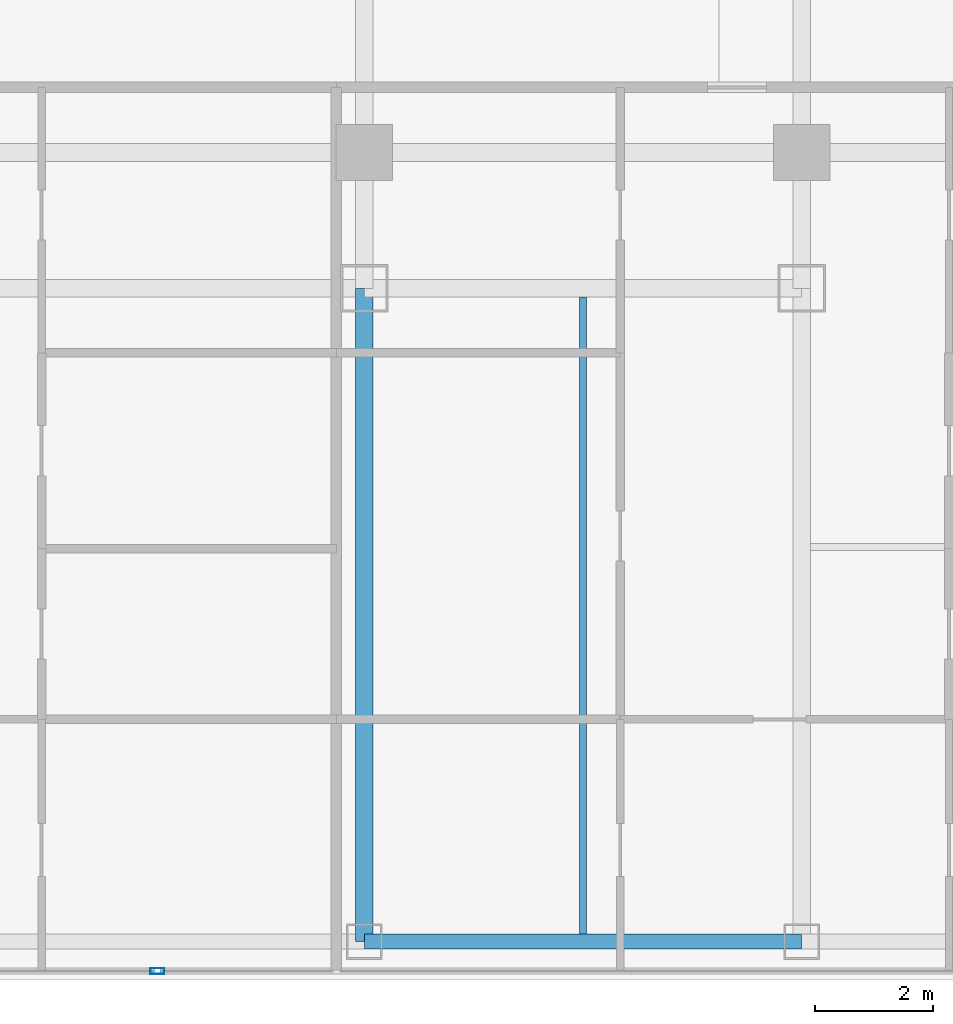
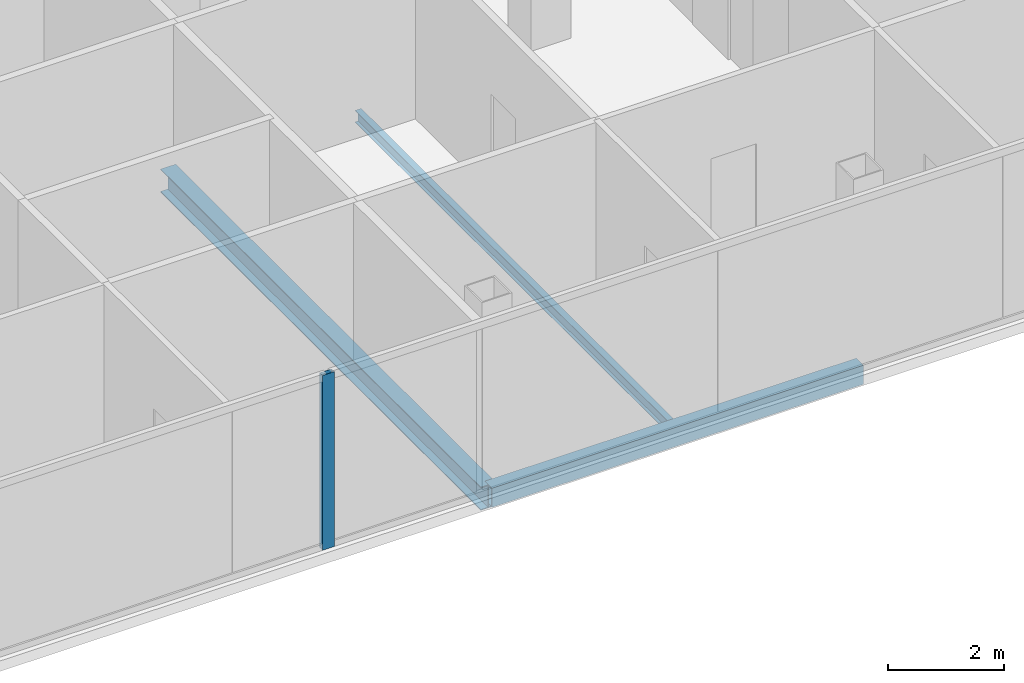
# One storey, part 4 of 27: 3 beams, 1 member, 1 element without a shape of its own.
"""IFC4 building model written with IfcOpenShell, lengths in metres."""

import ifcopenshell
import ifcopenshell.guid

model = None  # the IFC model being written
_history = None  # IfcOwnerHistory: only IFC2X3 demands one
_inside = {}  # id of a spatial element -> (the spatial element, [elements in it])
_under = {}  # id of a project, library or spatial element -> (it, [spatial elements below it])
_declared = {}  # id of a project -> (the project, [libraries it declares])
_typed = {}  # id of a type object -> (the type object, [elements of that type])
_made_of = {}  # id of a material, layer set ... -> (it, [elements and type objects made of it])


def new_model(schema):
    """Start an empty IFC model of exactly this schema.

    Asked for "IFC4X3", IfcOpenShell would pick the latest addendum, in which some entities
    have other attributes; the version numbers below select the first issue.
    IFC2X3 requires an IfcOwnerHistory on every rooted entity: one is made here for all.
    """
    global model, _history
    if schema == "IFC4X3":
        model = ifcopenshell.file(schema_version=(4, 3, 0, 0))
    else:
        model = ifcopenshell.file(schema=schema)
    _inside.clear()
    _under.clear()
    _declared.clear()
    _typed.clear()
    _made_of.clear()
    _history = None
    if model.schema == "IFC2X3":
        org = make("IfcOrganization", Name="unknown")
        user = make(
            "IfcPersonAndOrganization",
            ThePerson=make("IfcPerson", FamilyName="unknown"),
            TheOrganization=org,
        )
        app = make(
            "IfcApplication",
            ApplicationDeveloper=org,
            Version="unknown",
            ApplicationFullName="unknown",
            ApplicationIdentifier="unknown",
        )
        _history = make(
            "IfcOwnerHistory",
            OwningUser=user,
            OwningApplication=app,
            ChangeAction="ADDED",
            CreationDate=0,
        )
    return model


def make(cls, **values):
    """One entity of the class cls with the attributes given. An attribute that is None is left unset."""
    return model.create_entity(
        cls, **{name: value for name, value in values.items() if value is not None}
    )


def rooted(cls, **values):
    """An entity with a GlobalId (a new one), such as an element, a storey or a relation."""
    return make(cls, GlobalId=ifcopenshell.guid.new(), OwnerHistory=_history, **values)


def si_unit(unit_type, name, prefix=None):
    """IfcSIUnit, for example si_unit("LENGTHUNIT", "METRE", prefix="MILLI")."""
    return make("IfcSIUnit", UnitType=unit_type, Prefix=prefix, Name=name)


def assignment(units):
    """IfcUnitAssignment: the units of a project."""
    return None if units is None else make("IfcUnitAssignment", Units=units)


def point(xyz):
    """IfcCartesianPoint."""
    return None if xyz is None else make("IfcCartesianPoint", Coordinates=xyz)


def direction(xyz):
    """IfcDirection."""
    return None if xyz is None else make("IfcDirection", DirectionRatios=xyz)


def frame(location, z_axis=None, x_axis=None):
    """IfcAxis2Placement3D, a coordinate frame: its origin and axes. An axis left out is left unset."""
    return make(
        "IfcAxis2Placement3D",
        Location=point(location),
        Axis=direction(z_axis),
        RefDirection=direction(x_axis),
    )


def frame_2d(location, x_axis=None):
    """IfcAxis2Placement2D, a coordinate frame in the plane: its origin and x axis."""
    return make(
        "IfcAxis2Placement2D", Location=point(location), RefDirection=direction(x_axis)
    )


def origin():
    """The frame at (0, 0, 0) with its axes left unset."""
    return frame((0.0, 0.0, 0.0))


def origin_2d():
    """The frame at (0, 0) in the plane with its x axis left unset."""
    return frame_2d((0.0, 0.0))


def place(relative_to, where):
    """IfcLocalPlacement: puts the frame where relative to a parent placement (None: the world)."""
    return make(
        "IfcLocalPlacement", PlacementRelTo=relative_to, RelativePlacement=where
    )


def context(
    kind, dimensions, precision=None, world=None, true_north=None, identifier=None
):
    """IfcGeometricRepresentationContext, for example the 3D "Model" context."""
    return make(
        "IfcGeometricRepresentationContext",
        ContextIdentifier=identifier,
        ContextType=kind,
        CoordinateSpaceDimension=dimensions,
        Precision=precision,
        WorldCoordinateSystem=world,
        TrueNorth=true_north,
    )


def subcontext(parent, identifier, kind, view, scale=None):
    """IfcGeometricRepresentationSubContext, for example "Body" below "Model"."""
    return make(
        "IfcGeometricRepresentationSubContext",
        ContextIdentifier=identifier,
        ContextType=kind,
        ParentContext=parent,
        TargetScale=scale,
        TargetView=view,
    )


def project(units=None, contexts=None):
    """IfcProject with its units and contexts."""
    return rooted(
        "IfcProject",
        Name="project",
        RepresentationContexts=contexts,
        UnitsInContext=assignment(units),
    )


def spatial(cls, under=None, at=None, **own):
    """A site, building, storey or space (cls), placed at a placement, below another one or the project."""
    s = rooted(cls, ObjectPlacement=at, **own)
    if under is not None:
        _under.setdefault(under.id(), (under, []))[1].append(s)
    return s


def profile(cls, at=None, kind="AREA", **sizes):
    """A parametric profile (cls). Its sizes go by their IFC names, for example OverallWidth=200.0."""
    return make(cls, ProfileType=kind, Position=at, **sizes)


def hollow_rectangle(**sizes):
    """IfcRectangleHollowProfileDef."""
    return profile("IfcRectangleHollowProfileDef", **sizes)


def i_section(**sizes):
    """IfcIShapeProfileDef."""
    return profile("IfcIShapeProfileDef", **sizes)


def extrude(swept, where, along, depth):
    """IfcExtrudedAreaSolid: the profile swept, set in the frame where, extruded along a direction by depth."""
    return make(
        "IfcExtrudedAreaSolid",
        SweptArea=swept,
        Position=where,
        ExtrudedDirection=direction(along),
        Depth=depth,
    )


def shape(context_of_items, identifier, shape_type, items):
    """IfcShapeRepresentation: the items that make up one representation, for example the "Body"."""
    return make(
        "IfcShapeRepresentation",
        ContextOfItems=context_of_items,
        RepresentationIdentifier=identifier,
        RepresentationType=shape_type,
        Items=items,
    )


def material(Name=None, Category=None):
    """IfcMaterial."""
    return make("IfcMaterial", Name=Name, Category=Category)


def layer(
    of_material, thickness, ventilated=None, Name=None, Category=None, Priority=None
):
    """IfcMaterialLayer: one layer of a wall or slab, of a material (None: an air gap)."""
    return make(
        "IfcMaterialLayer",
        Material=of_material,
        LayerThickness=thickness,
        IsVentilated=ventilated,
        Name=Name,
        Category=Category,
        Priority=Priority,
    )


def layer_set(layers, Name=None):
    """IfcMaterialLayerSet."""
    return make("IfcMaterialLayerSet", MaterialLayers=layers, LayerSetName=Name)


def material_profile(
    of_material, cross_section, Name=None, Category=None, Priority=None
):
    """IfcMaterialProfile: a cross section and its material."""
    return make(
        "IfcMaterialProfile",
        Name=Name,
        Material=of_material,
        Profile=cross_section,
        Priority=Priority,
        Category=Category,
    )


def profile_set(profiles, Name=None, composite=None):
    """IfcMaterialProfileSet."""
    return make(
        "IfcMaterialProfileSet",
        Name=Name,
        MaterialProfiles=profiles,
        CompositeProfile=composite,
    )


def made_of(thing, what):
    """Note that an element or type object is made of a material, layer set ...; save() writes the relation."""
    if what is not None:
        _made_of.setdefault(what.id(), (what, []))[1].append(thing)
    return thing


def type_object(cls, material=None, **own):
    """A type object (cls), such as IfcWallType, which elements share."""
    return made_of(rooted(cls, **own), material)


def element(
    cls,
    number,
    at=None,
    inside=None,
    cuts=None,
    type_object=None,
    material=None,
    context=None,
    identifier="Body",
    shape_type=None,
    held_by="IfcProductDefinitionShape",
    body=None,
    shapes=None,
    **own,
):
    """One element of the class cls, such as IfcWall. Its Tag is "e" and its number.

    at: its placement. inside: the storey or other place that contains it. cuts: it is an
    opening in that element (IfcRelVoidsElement). A single representation is given by context,
    identifier, shape_type and body (its items); several are given by shapes. held_by: the class
    of the entity that holds the representations. save() writes the other relations.
    """
    e = rooted(cls, Tag="e%d" % number, ObjectPlacement=at, **own)
    if body is not None:
        shapes = [shape(context, identifier, shape_type, body)]
    if shapes is not None:
        e.Representation = make(held_by, Representations=shapes)
    if inside is not None:
        _inside.setdefault(inside.id(), (inside, []))[1].append(e)
    if cuts is not None:
        rooted(
            "IfcRelVoidsElement", RelatingBuildingElement=cuts, RelatedOpeningElement=e
        )
    if type_object is not None:
        _typed.setdefault(type_object.id(), (type_object, []))[1].append(e)
    return made_of(e, material)


def aggregate(whole, parts):
    """IfcRelAggregates: a whole, such as a stair, and the parts it consists of."""
    return rooted("IfcRelAggregates", RelatingObject=whole, RelatedObjects=parts)


def save(model, path):
    """Write the relations noted so far, then the file.

    IfcRelAggregates (storeys below a building ...), IfcRelContainedInSpatialStructure (elements
    in a storey), IfcRelDefinesByType, IfcRelAssociatesMaterial and IfcRelDeclares: one each for
    every whole, place, type object, material and project.
    """
    for whole, parts in _under.values():
        aggregate(whole, parts)
    for where, things in _inside.values():
        rooted(
            "IfcRelContainedInSpatialStructure",
            RelatedElements=things,
            RelatingStructure=where,
        )
    for kind, things in _typed.values():
        rooted("IfcRelDefinesByType", RelatedObjects=things, RelatingType=kind)
    for what, things in _made_of.values():
        rooted("IfcRelAssociatesMaterial", RelatedObjects=things, RelatingMaterial=what)
    for by, libraries in _declared.values():
        rooted("IfcRelDeclares", RelatingContext=by, RelatedDefinitions=libraries)
    model.write(path)


model = new_model("IFC4")

# Units and contexts
model_context = context("Model", 3, precision=1e-05, world=origin(), true_north=direction((0.0, 1.0)))
body_context = subcontext(model_context, "Body", "Model", "MODEL_VIEW")
ifc_project = project(units=[si_unit("LENGTHUNIT", "METRE"), si_unit("AREAUNIT", "SQUARE_METRE"), si_unit("VOLUMEUNIT", "CUBIC_METRE"), si_unit("PLANEANGLEUNIT", "RADIAN"), si_unit("MASSUNIT", "GRAM", prefix="KILO")], contexts=[model_context])

# Site, building, storey
site_placement = place(None, origin())
site = spatial("IfcSite", under=ifc_project, at=site_placement, CompositionType="ELEMENT")
building_placement = place(site_placement, origin())
building = spatial("IfcBuilding", under=site, at=building_placement, Name="Khorvyn Point Tower", CompositionType="ELEMENT")
storey_placement = place(building_placement, frame((0.0, 0.0, 243.0)))
storey = spatial("IfcBuildingStorey", under=building, at=storey_placement, Name="L59", CompositionType="ELEMENT", Elevation=243.0)

# Curtain wall, member
ifc_material_1 = material(Name="Anodised aluminium 6063-T6 and laminated Low-E glass", Category="aluminium")
ifc_layer = layer(ifc_material_1, 0.18994140625)
ifc_layer_set = layer_set([ifc_layer], Name="Stick-Built Acoustic Curtain Wall CW-SYS-03")
curtain_wall_type = type_object("IfcCurtainWallType", Name="Stick-Built Acoustic Curtain Wall CW-SYS-03", PredefinedType="NOTDEFINED", material=ifc_layer_set)
curtain_wall_placement = place(storey_placement, origin())
curtain_wall = element("IfcCurtainWall", 1, at=curtain_wall_placement, inside=storey, type_object=curtain_wall_type, Name="Curtain Wall", PredefinedType="NOTDEFINED")
ifc_material_2 = material(Name="Anodised aluminium 6063-T6", Category="aluminium")
ifc_material_profile_1 = material_profile(ifc_material_2, hollow_rectangle(XDim=0.10009765625, YDim=0.239990234375, WallThickness=0.0048828125, at=origin_2d()))
ifc_profile_set_1 = profile_set([ifc_material_profile_1], Name="Anodised aluminium 6063-T6 ALU-MUL-100x240")
member_type = type_object("IfcMemberType", Name="Anodised Aluminium 6063-T6 Mullion ALU-MUL-100x240", PredefinedType="MULLION", material=ifc_profile_set_1)
member_placement = place(storey_placement, frame((3.89990234375, -28.64990234375, 0.0), z_axis=(0.0, 0.0, 1.0), x_axis=(0.0, -1.0, 0.0)))
member = element("IfcMember", 2, at=member_placement, type_object=member_type, Name="Transom", PredefinedType="MULLION", context=body_context, shape_type="SweptSolid", body=[
    extrude(hollow_rectangle(XDim=0.10009765625, YDim=0.239990234375, WallThickness=0.0048828125, at=origin_2d()), origin(), (0.0, 0.0, 1.0), 3.679931640625),
])
aggregate(curtain_wall, [member])

# Beams
ifc_material_3 = material(Name="Steel S355", Category="steel")
ifc_material_profile_2 = material_profile(ifc_material_3, i_section(OverallWidth=0.125, OverallDepth=0.25, WebThickness=0.006103515625, FlangeThickness=0.009033203125, at=origin_2d()))
ifc_profile_set_2 = profile_set([ifc_material_profile_2], Name="Steel S355 H250x125x6x9")
beam_type_1 = type_object("IfcBeamType", Name="Steel S355 Joist H250x125x6x9", PredefinedType="JOIST", material=ifc_profile_set_2)
beam_1_placement = place(storey_placement, frame((11.10009765625, -28.02490234375, -0.344970703125), z_axis=(0.0, 1.0, 0.0), x_axis=(-1.0, 0.0, 0.0)))
element("IfcBeam", 3, at=beam_1_placement, inside=storey, type_object=beam_type_1, Name="Beam", PredefinedType="JOIST", context=body_context, shape_type="SweptSolid", body=[
    extrude(i_section(OverallWidth=0.125, OverallDepth=0.25, WebThickness=0.006103515625, FlangeThickness=0.009033203125, at=origin_2d()), origin(), (0.0, 0.0, 1.0), 10.77490234375),
])
ifc_material_profile_3 = material_profile(ifc_material_3, i_section(OverallWidth=0.300048828125, OverallDepth=0.488037109375, WebThickness=0.010986328125, FlangeThickness=0.01806640625, at=origin_2d()))
ifc_profile_set_3 = profile_set([ifc_material_profile_3], Name="Steel S355 H488x300x11x18")
beam_type_2 = type_object("IfcBeamType", Name="Steel S355 Spandrel H488x300x11x18", PredefinedType="SPANDREL", material=ifc_profile_set_3)
beam_2_placement = place(storey_placement, frame((7.39990234375, -28.14990234375, -0.464111328125), z_axis=(0.0, 1.0, 0.0), x_axis=(-1.0, 0.0, 0.0)))
element("IfcBeam", 4, at=beam_2_placement, inside=storey, type_object=beam_type_2, Name="Beam", PredefinedType="SPANDREL", context=body_context, shape_type="SweptSolid", body=[
    extrude(i_section(OverallWidth=0.300048828125, OverallDepth=0.488037109375, WebThickness=0.010986328125, FlangeThickness=0.01806640625, at=origin_2d()), origin(), (0.0, 0.0, 1.0), 11.0498046875),
])
ifc_material_profile_4 = material_profile(ifc_material_3, hollow_rectangle(XDim=0.25, YDim=0.39990234375, WallThickness=0.01611328125, at=origin_2d()))
ifc_profile_set_4 = profile_set([ifc_material_profile_4], Name="Steel S355 RHS400x250x16")
beam_type_3 = type_object("IfcBeamType", Name="Steel S355 Spandrel RHS400x250x16", PredefinedType="SPANDREL", material=ifc_profile_set_4)
beam_3_placement = place(storey_placement, frame((7.39990234375, -28.14990234375, -0.419921875), z_axis=(1.0, 0.0, 0.0), x_axis=(0.0, 1.0, 0.0)))
element("IfcBeam", 5, at=beam_3_placement, inside=storey, type_object=beam_type_3, Name="Beam", PredefinedType="SPANDREL", context=body_context, shape_type="SweptSolid", body=[
    extrude(hollow_rectangle(XDim=0.25, YDim=0.39990234375, WallThickness=0.01611328125, at=origin_2d()), origin(), (0.0, 0.0, 1.0), 7.400146484375),
])

save(model, "model.ifc")
